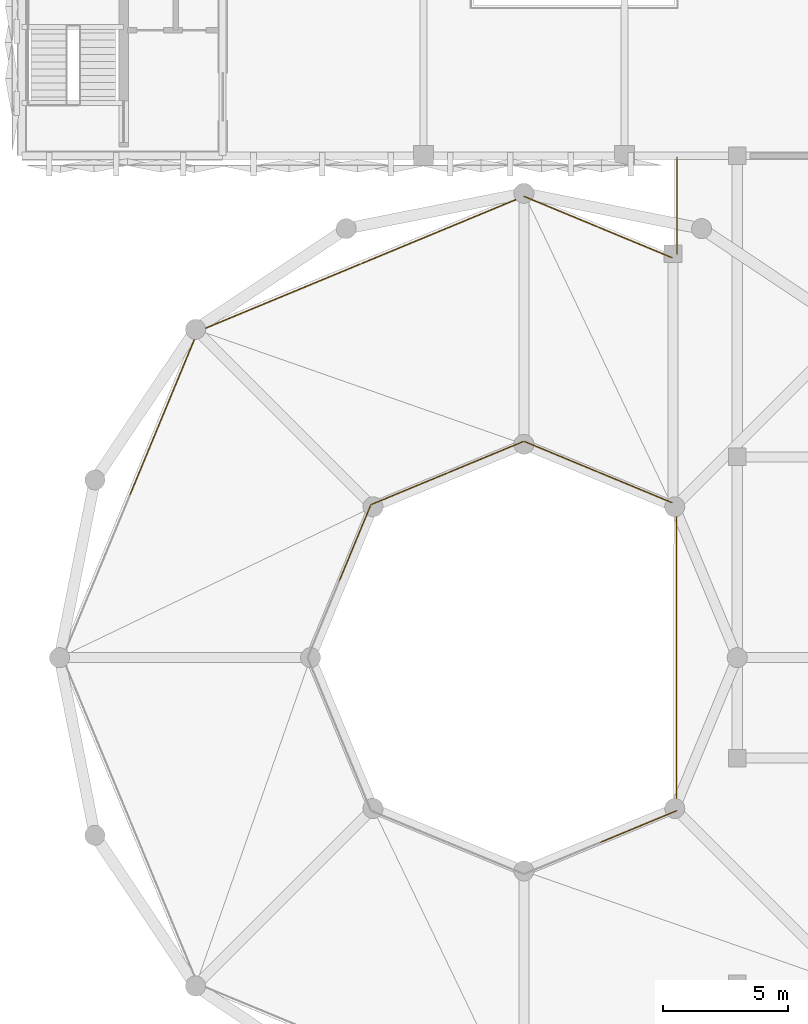
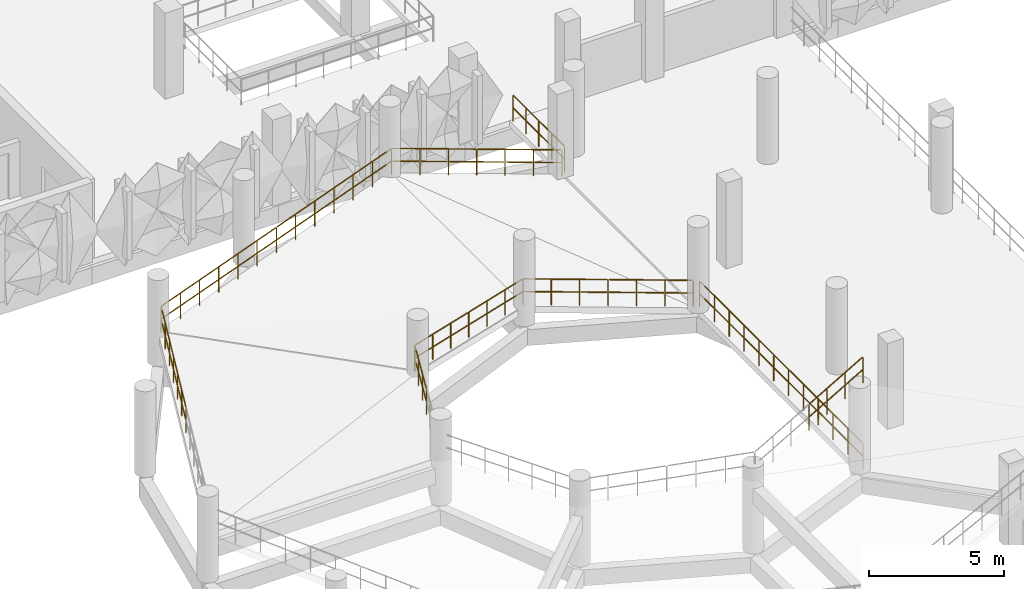
# One storey, part 107 of 123: 13 railings.
"""IFC4 building model written with IfcOpenShell, lengths in metres."""

from ifc_helpers import new_model, si_unit, derived_unit, direction, frame, origin, origin_2d, place, context, subcontext, project, spatial, circle, extrude, material, type_object, element, save


model = new_model("IFC4")

# Units and contexts
model_context = context("Model", 3, precision=1e-05, world=origin(), true_north=direction((0.0, 1.0)))
body_context = subcontext(model_context, "Body", "Model", "MODEL_VIEW")
ifc_project = project(units=[si_unit("LENGTHUNIT", "METRE"), si_unit("AREAUNIT", "SQUARE_METRE"), si_unit("VOLUMEUNIT", "CUBIC_METRE"), si_unit("PLANEANGLEUNIT", "RADIAN"), si_unit("MASSUNIT", "GRAM", prefix="KILO"), si_unit("THERMODYNAMICTEMPERATUREUNIT", "KELVIN"), derived_unit("THERMALTRANSMITTANCEUNIT", [(si_unit("POWERUNIT", "WATT"), 1), (si_unit("AREAUNIT", "SQUARE_METRE"), -1), (si_unit("THERMODYNAMICTEMPERATUREUNIT", "KELVIN"), -1)])], contexts=[model_context])

# Site, building, storey
site_placement = place(None, origin())
site = spatial("IfcSite", under=ifc_project, at=site_placement, CompositionType="ELEMENT")
building_placement = place(site_placement, origin())
building = spatial("IfcBuilding", under=site, at=building_placement, Name="Haiyu Intermodal Mobility Hub", CompositionType="ELEMENT")
storey_placement = place(building_placement, frame((0.0, 0.0, 5.60009765625)))
storey = spatial("IfcBuildingStorey", under=building, at=storey_placement, Name="L01", CompositionType="ELEMENT", Elevation=5.60009765625)

# Railings
ifc_material = material(Name="Steel Q355C", Category="steel")
railing_type = type_object("IfcRailingType", Name="RAL-GR01", PredefinedType="GUARDRAIL", material=ifc_material)
railing_1_placement = place(storey_placement, frame((40.080078125, 53.8798828125, 0.0)))
element("IfcRailing", 1, at=railing_1_placement, inside=storey, type_object=railing_type, Name="L01 Ramp Arrival Deck Inner Drum Guard", PredefinedType="GUARDRAIL", context=body_context, shape_type="SweptSolid", body=[
    extrude(circle(Radius=0.02392578125, at=origin_2d()), frame((0.0, 0.030029296875, 1.17578125), z_axis=(0.0, 1.0, 0.0), x_axis=(-1.0, 0.0, 0.0)), (0.0, 0.0, 1.0), 12.080078125),
    extrude(circle(Radius=0.02392578125, at=origin_2d()), frame((0.0, 0.037353515625, 0.60009765625), z_axis=(0.0, 1.0, 0.0), x_axis=(-1.0, 0.0, 0.0)), (0.0, 0.0, 1.0), 1.029052734375),
    extrude(circle(Radius=0.02392578125, at=origin_2d()), frame((0.0, 1.140869140625, 0.60009765625), z_axis=(0.0, 1.0, 0.0), x_axis=(-1.0, 0.0, 0.0)), (0.0, 0.0, 1.0), 1.029052734375),
    extrude(circle(Radius=0.02392578125, at=origin_2d()), frame((0.0, 2.24462890625, 0.60009765625), z_axis=(0.0, 1.0, 0.0), x_axis=(-1.0, 0.0, 0.0)), (0.0, 0.0, 1.0), 1.029052734375),
    extrude(circle(Radius=0.02392578125, at=origin_2d()), frame((0.0, 3.34814453125, 0.60009765625), z_axis=(0.0, 1.0, 0.0), x_axis=(-1.0, 0.0, 0.0)), (0.0, 0.0, 1.0), 1.029052734375),
    extrude(circle(Radius=0.02392578125, at=origin_2d()), frame((0.0, 4.451904296875, 0.60009765625), z_axis=(0.0, 1.0, 0.0), x_axis=(-1.0, 0.0, 0.0)), (0.0, 0.0, 1.0), 1.029052734375),
    extrude(circle(Radius=0.02392578125, at=origin_2d()), frame((0.0, 5.555419921875, 0.60009765625), z_axis=(0.0, 1.0, 0.0), x_axis=(-1.0, 0.0, 0.0)), (0.0, 0.0, 1.0), 1.029052734375),
    extrude(circle(Radius=0.02392578125, at=origin_2d()), frame((0.0, 6.6591796875, 0.60009765625), z_axis=(0.0, 1.0, 0.0), x_axis=(-1.0, 0.0, 0.0)), (0.0, 0.0, 1.0), 1.029052734375),
    extrude(circle(Radius=0.02392578125, at=origin_2d()), frame((0.0, 7.762939453125, 0.60009765625), z_axis=(0.0, 1.0, 0.0), x_axis=(-1.0, 0.0, 0.0)), (0.0, 0.0, 1.0), 1.029052734375),
    extrude(circle(Radius=0.02392578125, at=origin_2d()), frame((0.0, 8.866455078125, 0.60009765625), z_axis=(0.0, 1.0, 0.0), x_axis=(-1.0, 0.0, 0.0)), (0.0, 0.0, 1.0), 1.029052734375),
    extrude(circle(Radius=0.02392578125, at=origin_2d()), frame((0.0, 9.97021484375, 0.60009765625), z_axis=(0.0, 1.0, 0.0), x_axis=(-1.0, 0.0, 0.0)), (0.0, 0.0, 1.0), 1.029052734375),
    extrude(circle(Radius=0.02392578125, at=origin_2d()), frame((0.0, 11.07373046875, 0.60009765625), z_axis=(0.0, 1.0, 0.0), x_axis=(-1.0, 0.0, 0.0)), (0.0, 0.0, 1.0), 1.029052734375),
    extrude(circle(Radius=0.02099609375, at=origin_2d()), origin(), (0.0, 0.0, 1.0), 1.143798828125),
    extrude(circle(Radius=0.02099609375, at=origin_2d()), frame((0.0, 1.103759765625, 0.0)), (0.0, 0.0, 1.0), 1.143798828125),
    extrude(circle(Radius=0.02099609375, at=origin_2d()), frame((0.0, 2.207275390625, 0.0)), (0.0, 0.0, 1.0), 1.143798828125),
    extrude(circle(Radius=0.02099609375, at=origin_2d()), frame((0.0, 3.31103515625, 0.0)), (0.0, 0.0, 1.0), 1.143798828125),
    extrude(circle(Radius=0.02099609375, at=origin_2d()), frame((0.0, 4.41455078125, 0.0)), (0.0, 0.0, 1.0), 1.143798828125),
    extrude(circle(Radius=0.02099609375, at=origin_2d()), frame((0.0, 5.518310546875, 0.0)), (0.0, 0.0, 1.0), 1.143798828125),
    extrude(circle(Radius=0.02099609375, at=origin_2d()), frame((0.0, 6.621826171875, 0.0)), (0.0, 0.0, 1.0), 1.143798828125),
    extrude(circle(Radius=0.02099609375, at=origin_2d()), frame((0.0, 7.7255859375, 0.0)), (0.0, 0.0, 1.0), 1.143798828125),
    extrude(circle(Radius=0.02099609375, at=origin_2d()), frame((0.0, 8.8291015625, 0.0)), (0.0, 0.0, 1.0), 1.143798828125),
    extrude(circle(Radius=0.02099609375, at=origin_2d()), frame((0.0, 9.932861328125, 0.0)), (0.0, 0.0, 1.0), 1.143798828125),
    extrude(circle(Radius=0.02099609375, at=origin_2d()), frame((0.0, 11.036376953125, 0.0)), (0.0, 0.0, 1.0), 1.143798828125),
    extrude(circle(Radius=0.02099609375, at=origin_2d()), frame((0.0, 12.14013671875, 0.0)), (0.0, 0.0, 1.0), 1.143798828125),
])
railing_2_placement = place(storey_placement, frame((40.10009765625, 76.080078125, 0.0)))
element("IfcRailing", 2, at=railing_2_placement, inside=storey, type_object=railing_type, Name="L01 Ramp Arrival Deck North-West Guard", PredefinedType="GUARDRAIL", context=body_context, shape_type="SweptSolid", body=[
    extrude(circle(Radius=0.02392578125, at=origin_2d()), frame((0.0, 0.030029296875, 1.17578125), z_axis=(0.0, 1.0, 0.0), x_axis=(-1.0, 0.0, 0.0)), (0.0, 0.0, 1.0), 3.77978515625),
    extrude(circle(Radius=0.02392578125, at=origin_2d()), frame((0.0, 0.037353515625, 0.60009765625), z_axis=(0.0, 1.0, 0.0), x_axis=(-1.0, 0.0, 0.0)), (0.0, 0.0, 1.0), 0.88525390625),
    extrude(circle(Radius=0.02392578125, at=origin_2d()), frame((0.0, 0.997314453125, 0.60009765625), z_axis=(0.0, 1.0, 0.0), x_axis=(-1.0, 0.0, 0.0)), (0.0, 0.0, 1.0), 0.88525390625),
    extrude(circle(Radius=0.02392578125, at=origin_2d()), frame((0.0, 1.957275390625, 0.60009765625), z_axis=(0.0, 1.0, 0.0), x_axis=(-1.0, 0.0, 0.0)), (0.0, 0.0, 1.0), 0.88525390625),
    extrude(circle(Radius=0.02392578125, at=origin_2d()), frame((0.0, 2.917236328125, 0.60009765625), z_axis=(0.0, 1.0, 0.0), x_axis=(-1.0, 0.0, 0.0)), (0.0, 0.0, 1.0), 0.88525390625),
    extrude(circle(Radius=0.02099609375, at=origin_2d()), origin(), (0.0, 0.0, 1.0), 1.143798828125),
    extrude(circle(Radius=0.02099609375, at=origin_2d()), frame((0.0, 0.9599609375, 0.0)), (0.0, 0.0, 1.0), 1.143798828125),
    extrude(circle(Radius=0.02099609375, at=origin_2d()), frame((0.0, 1.919921875, 0.0)), (0.0, 0.0, 1.0), 1.143798828125),
    extrude(circle(Radius=0.02099609375, at=origin_2d()), frame((0.0, 2.8798828125, 0.0)), (0.0, 0.0, 1.0), 1.143798828125),
    extrude(circle(Radius=0.02099609375, at=origin_2d()), frame((0.0, 3.83984375, 0.0)), (0.0, 0.0, 1.0), 1.143798828125),
])
for number, where, name in (
    (3, (39.89990234375, 75.93603515625, 0.0), "RAL-VRMP-O-L01-01A"),
    (4, (36.949951171875, 77.157958984375, 0.324951171875), "RAL-VRMP-O-L01-01B"),
    (5, (39.89990234375, 66.176025390625, 0.0), "RAL-VRMP-I-L01-01A"),
):
    element("IfcRailing", number, at=place(storey_placement, frame(where)), inside=storey, type_object=railing_type, Name=name, PredefinedType="GUARDRAIL", context=body_context, shape_type="SweptSolid", body=[
        extrude(circle(Radius=0.02392578125, at=origin_2d()), frame((-0.027587890625, 0.011474609375, 1.178955078125), z_axis=(-0.91913050102, 0.380720694993, 0.101246602405), x_axis=(-0.382687186701, -0.923877977405, 0.0)), (0.0, 0.0, 1.0), 3.1494140625),
        extrude(circle(Radius=0.02392578125, at=origin_2d()), frame((-0.0341796875, 0.01416015625, 0.603759765625), z_axis=(-0.91913050102, 0.380720694993, 0.101246602405), x_axis=(-0.382687186701, -0.923877977405, 0.0)), (0.0, 0.0, 1.0), 0.995361328125),
        extrude(circle(Radius=0.02392578125, at=origin_2d()), frame((-1.017578125, 0.42138671875, 0.712158203125), z_axis=(-0.91913050102, 0.380720694993, 0.101246602405), x_axis=(-0.382687186701, -0.923877977405, 0.0)), (0.0, 0.0, 1.0), 0.995361328125),
        extrude(circle(Radius=0.02392578125, at=origin_2d()), frame((-2.0009765625, 0.828857421875, 0.8203125), z_axis=(-0.91913050102, 0.380720694993, 0.101246602405), x_axis=(-0.382687186701, -0.923877977405, 0.0)), (0.0, 0.0, 1.0), 0.995361328125),
        extrude(circle(Radius=0.02099609375, at=origin_2d()), origin(), (0.0, 0.0, 1.0), 1.143798828125),
        extrude(circle(Radius=0.02099609375, at=origin_2d()), frame((-0.9833984375, 0.4072265625, 0.1083984375)), (0.0, 0.0, 1.0), 1.143798828125),
        extrude(circle(Radius=0.02099609375, at=origin_2d()), frame((-1.966552734375, 0.814697265625, 0.216552734375)), (0.0, 0.0, 1.0), 1.143798828125),
        extrude(circle(Radius=0.02099609375, at=origin_2d()), frame((-2.949951171875, 1.221923828125, 0.324951171875)), (0.0, 0.0, 1.0), 1.143798828125),
    ])
railing_3_placement = place(storey_placement, frame((36.949951171875, 67.39794921875, 0.324951171875)))
element("IfcRailing", 6, at=railing_3_placement, inside=storey, type_object=railing_type, Name="RAL-VRMP-I-L01-01B", PredefinedType="GUARDRAIL", context=body_context, shape_type="SweptSolid", body=[
    extrude(circle(Radius=0.02392578125, at=origin_2d()), frame((-0.027587890625, 0.011474609375, 1.178955078125), z_axis=(-0.919103880865, 0.380785734305, 0.101243670068), x_axis=(-0.382752447143, -0.923850942634, 0.0)), (0.0, 0.0, 1.0), 3.149658203125),
    extrude(circle(Radius=0.02392578125, at=origin_2d()), frame((-0.0341796875, 0.01416015625, 0.603759765625), z_axis=(-0.919103880865, 0.380785734305, 0.101243670068), x_axis=(-0.382752447143, -0.923850942634, 0.0)), (0.0, 0.0, 1.0), 0.995361328125),
    extrude(circle(Radius=0.02392578125, at=origin_2d()), frame((-1.017578125, 0.421630859375, 0.712158203125), z_axis=(-0.919103880865, 0.380785734305, 0.101243670068), x_axis=(-0.382752447143, -0.923850942634, 0.0)), (0.0, 0.0, 1.0), 0.995361328125),
    extrude(circle(Radius=0.02392578125, at=origin_2d()), frame((-2.0009765625, 0.8291015625, 0.8203125), z_axis=(-0.919103880865, 0.380785734305, 0.101243670068), x_axis=(-0.382752447143, -0.923850942634, 0.0)), (0.0, 0.0, 1.0), 0.995361328125),
    extrude(circle(Radius=0.02099609375, at=origin_2d()), origin(), (0.0, 0.0, 1.0), 1.143798828125),
    extrude(circle(Radius=0.02099609375, at=origin_2d()), frame((-0.9833984375, 0.407470703125, 0.1083984375)), (0.0, 0.0, 1.0), 1.143798828125),
    extrude(circle(Radius=0.02099609375, at=origin_2d()), frame((-1.966552734375, 0.814697265625, 0.216552734375)), (0.0, 0.0, 1.0), 1.143798828125),
    extrude(circle(Radius=0.02099609375, at=origin_2d()), frame((-2.949951171875, 1.22216796875, 0.324951171875)), (0.0, 0.0, 1.0), 1.143798828125),
])
railing_4_placement = place(storey_placement, frame((34.0, 78.3798828125, 0.64990234375)))
element("IfcRailing", 7, at=railing_4_placement, inside=storey, type_object=railing_type, Name="RAL-VRMP-O-L01-02A", PredefinedType="GUARDRAIL", context=body_context, shape_type="SweptSolid", body=[
    extrude(circle(Radius=0.02392578125, at=origin_2d()), frame((-0.027587890625, -0.011474609375, 1.17724609375), z_axis=(-0.922879282684, -0.382313907833, 0.046150898905), x_axis=(0.382721705618, -0.923863678282, 0.0)), (0.0, 0.0, 1.0), 6.98095703125),
    extrude(circle(Radius=0.02392578125, at=origin_2d()), frame((-0.034423828125, -0.01416015625, 0.601806640625), z_axis=(-0.922879282684, -0.382313907833, 0.046150898905), x_axis=(0.382721705618, -0.923863678282, 0.0)), (0.0, 0.0, 1.0), 1.098876953125),
    extrude(circle(Radius=0.02392578125, at=origin_2d()), frame((-1.117431640625, -0.462890625, 0.65576171875), z_axis=(-0.922879282684, -0.382313907833, 0.046150898905), x_axis=(0.382721705618, -0.923863678282, 0.0)), (0.0, 0.0, 1.0), 1.098876953125),
    extrude(circle(Radius=0.02392578125, at=origin_2d()), frame((-2.200439453125, -0.91162109375, 0.7099609375), z_axis=(-0.922879282684, -0.382313907833, 0.046150898905), x_axis=(0.382721705618, -0.923863678282, 0.0)), (0.0, 0.0, 1.0), 1.098876953125),
    extrude(circle(Radius=0.02392578125, at=origin_2d()), frame((-3.283447265625, -1.360107421875, 0.76416015625), z_axis=(-0.922879282684, -0.382313907833, 0.046150898905), x_axis=(0.382721705618, -0.923863678282, 0.0)), (0.0, 0.0, 1.0), 1.098876953125),
    extrude(circle(Radius=0.02392578125, at=origin_2d()), frame((-4.366455078125, -1.808837890625, 0.818359375), z_axis=(-0.922879282684, -0.382313907833, 0.046150898905), x_axis=(0.382721705618, -0.923863678282, 0.0)), (0.0, 0.0, 1.0), 1.098876953125),
    extrude(circle(Radius=0.02392578125, at=origin_2d()), frame((-5.449462890625, -2.257568359375, 0.87255859375), z_axis=(-0.922879282684, -0.382313907833, 0.046150898905), x_axis=(0.382721705618, -0.923863678282, 0.0)), (0.0, 0.0, 1.0), 1.098876953125),
    extrude(circle(Radius=0.02099609375, at=origin_2d()), origin(), (0.0, 0.0, 1.0), 1.143798828125),
    extrude(circle(Radius=0.02099609375, at=origin_2d()), frame((-1.0830078125, -0.44873046875, 0.05419921875)), (0.0, 0.0, 1.0), 1.143798828125),
    extrude(circle(Radius=0.02099609375, at=origin_2d()), frame((-2.166015625, -0.897216796875, 0.1083984375)), (0.0, 0.0, 1.0), 1.143798828125),
    extrude(circle(Radius=0.02099609375, at=origin_2d()), frame((-3.2490234375, -1.345947265625, 0.16259765625)), (0.0, 0.0, 1.0), 1.143798828125),
    extrude(circle(Radius=0.02099609375, at=origin_2d()), frame((-4.33203125, -1.794677734375, 0.216552734375)), (0.0, 0.0, 1.0), 1.143798828125),
    extrude(circle(Radius=0.02099609375, at=origin_2d()), frame((-5.4150390625, -2.2431640625, 0.270751953125)), (0.0, 0.0, 1.0), 1.143798828125),
    extrude(circle(Radius=0.02099609375, at=origin_2d()), frame((-6.498046875, -2.69189453125, 0.324951171875)), (0.0, 0.0, 1.0), 1.143798828125),
])
railing_5_placement = place(storey_placement, frame((27.501953125, 75.68798828125, 0.974853515625)))
element("IfcRailing", 8, at=railing_5_placement, inside=storey, type_object=railing_type, Name="RAL-VRMP-O-L01-02B", PredefinedType="GUARDRAIL", context=body_context, shape_type="SweptSolid", body=[
    extrude(circle(Radius=0.02392578125, at=origin_2d()), frame((-0.027587890625, -0.011474609375, 1.17724609375), z_axis=(-0.922879282684, -0.382313907833, 0.046150898905), x_axis=(0.382721705618, -0.923863678282, 0.0)), (0.0, 0.0, 1.0), 6.98095703125),
    extrude(circle(Radius=0.02392578125, at=origin_2d()), frame((-0.034423828125, -0.01416015625, 0.601806640625), z_axis=(-0.922879282684, -0.382313907833, 0.046150898905), x_axis=(0.382721705618, -0.923863678282, 0.0)), (0.0, 0.0, 1.0), 1.098876953125),
    extrude(circle(Radius=0.02392578125, at=origin_2d()), frame((-1.117431640625, -0.462890625, 0.65576171875), z_axis=(-0.922879282684, -0.382313907833, 0.046150898905), x_axis=(0.382721705618, -0.923863678282, 0.0)), (0.0, 0.0, 1.0), 1.098876953125),
    extrude(circle(Radius=0.02392578125, at=origin_2d()), frame((-2.200439453125, -0.91162109375, 0.7099609375), z_axis=(-0.922879282684, -0.382313907833, 0.046150898905), x_axis=(0.382721705618, -0.923863678282, 0.0)), (0.0, 0.0, 1.0), 1.098876953125),
    extrude(circle(Radius=0.02392578125, at=origin_2d()), frame((-3.283447265625, -1.360107421875, 0.76416015625), z_axis=(-0.922879282684, -0.382313907833, 0.046150898905), x_axis=(0.382721705618, -0.923863678282, 0.0)), (0.0, 0.0, 1.0), 1.098876953125),
    extrude(circle(Radius=0.02392578125, at=origin_2d()), frame((-4.366455078125, -1.808837890625, 0.818359375), z_axis=(-0.922879282684, -0.382313907833, 0.046150898905), x_axis=(0.382721705618, -0.923863678282, 0.0)), (0.0, 0.0, 1.0), 1.098876953125),
    extrude(circle(Radius=0.02392578125, at=origin_2d()), frame((-5.449462890625, -2.257568359375, 0.87255859375), z_axis=(-0.922879282684, -0.382313907833, 0.046150898905), x_axis=(0.382721705618, -0.923863678282, 0.0)), (0.0, 0.0, 1.0), 1.098876953125),
    extrude(circle(Radius=0.02099609375, at=origin_2d()), origin(), (0.0, 0.0, 1.0), 1.143798828125),
    extrude(circle(Radius=0.02099609375, at=origin_2d()), frame((-1.0830078125, -0.44873046875, 0.05419921875)), (0.0, 0.0, 1.0), 1.143798828125),
    extrude(circle(Radius=0.02099609375, at=origin_2d()), frame((-2.166015625, -0.897216796875, 0.1083984375)), (0.0, 0.0, 1.0), 1.143798828125),
    extrude(circle(Radius=0.02099609375, at=origin_2d()), frame((-3.2490234375, -1.345947265625, 0.16259765625)), (0.0, 0.0, 1.0), 1.143798828125),
    extrude(circle(Radius=0.02099609375, at=origin_2d()), frame((-4.33203125, -1.794677734375, 0.216552734375)), (0.0, 0.0, 1.0), 1.143798828125),
    extrude(circle(Radius=0.02099609375, at=origin_2d()), frame((-5.4150390625, -2.2431640625, 0.270751953125)), (0.0, 0.0, 1.0), 1.143798828125),
    extrude(circle(Radius=0.02099609375, at=origin_2d()), frame((-6.498046875, -2.69189453125, 0.324951171875)), (0.0, 0.0, 1.0), 1.143798828125),
])
railing_6_placement = place(storey_placement, frame((34.0, 68.6201171875, 0.64990234375)))
element("IfcRailing", 9, at=railing_6_placement, inside=storey, type_object=railing_type, Name="RAL-VRMP-I-L01-02A", PredefinedType="GUARDRAIL", context=body_context, shape_type="SweptSolid", body=[
    extrude(circle(Radius=0.02392578125, at=origin_2d()), frame((-0.027587890625, -0.011474609375, 1.178955078125), z_axis=(-0.919468217836, -0.380748953641, 0.098022602959), x_axis=(0.382591441855, -0.923917630863, 0.0)), (0.0, 0.0, 1.0), 3.255126953125),
    extrude(circle(Radius=0.02392578125, at=origin_2d()), frame((-0.0341796875, -0.01416015625, 0.603515625), z_axis=(-0.919468217836, -0.380748953641, 0.098022602959), x_axis=(0.382591441855, -0.923917630863, 0.0)), (0.0, 0.0, 1.0), 1.030517578125),
    extrude(circle(Radius=0.02392578125, at=origin_2d()), frame((-1.05029296875, -0.434814453125, 0.7119140625), z_axis=(-0.919468217836, -0.380748953641, 0.098022602959), x_axis=(0.382591441855, -0.923917630863, 0.0)), (0.0, 0.0, 1.0), 1.030517578125),
    extrude(circle(Radius=0.02392578125, at=origin_2d()), frame((-2.06640625, -0.855712890625, 0.8203125), z_axis=(-0.919468217836, -0.380748953641, 0.098022602959), x_axis=(0.382591441855, -0.923917630863, 0.0)), (0.0, 0.0, 1.0), 1.030517578125),
    extrude(circle(Radius=0.02099609375, at=origin_2d()), origin(), (0.0, 0.0, 1.0), 1.143798828125),
    extrude(circle(Radius=0.02099609375, at=origin_2d()), frame((-1.01611328125, -0.420654296875, 0.1083984375)), (0.0, 0.0, 1.0), 1.143798828125),
    extrude(circle(Radius=0.02099609375, at=origin_2d()), frame((-2.031982421875, -0.841552734375, 0.216552734375)), (0.0, 0.0, 1.0), 1.143798828125),
    extrude(circle(Radius=0.02099609375, at=origin_2d()), frame((-3.048095703125, -1.26220703125, 0.324951171875)), (0.0, 0.0, 1.0), 1.143798828125),
])
railing_7_placement = place(storey_placement, frame((30.951904296875, 67.35791015625, 0.974853515625)))
element("IfcRailing", 10, at=railing_7_placement, inside=storey, type_object=railing_type, Name="RAL-VRMP-I-L01-02B", PredefinedType="GUARDRAIL", context=body_context, shape_type="SweptSolid", body=[
    extrude(circle(Radius=0.02392578125, at=origin_2d()), frame((-0.027587890625, -0.011474609375, 1.178955078125), z_axis=(-0.919333861182, -0.381066832043, 0.098047545612), x_axis=(0.382911803909, -0.923784904849, 0.0)), (0.0, 0.0, 1.0), 3.254150390625),
    extrude(circle(Radius=0.02392578125, at=origin_2d()), frame((-0.0341796875, -0.01416015625, 0.603515625), z_axis=(-0.919333861182, -0.381066832043, 0.098047545612), x_axis=(0.382911803909, -0.923784904849, 0.0)), (0.0, 0.0, 1.0), 1.030029296875),
    extrude(circle(Radius=0.02392578125, at=origin_2d()), frame((-1.0498046875, -0.435302734375, 0.7119140625), z_axis=(-0.919333861182, -0.381066832043, 0.098047545612), x_axis=(0.382911803909, -0.923784904849, 0.0)), (0.0, 0.0, 1.0), 1.030029296875),
    extrude(circle(Radius=0.02392578125, at=origin_2d()), frame((-2.0654296875, -0.856201171875, 0.8203125), z_axis=(-0.919333861182, -0.381066832043, 0.098047545612), x_axis=(0.382911803909, -0.923784904849, 0.0)), (0.0, 0.0, 1.0), 1.030029296875),
    extrude(circle(Radius=0.02099609375, at=origin_2d()), origin(), (0.0, 0.0, 1.0), 1.143798828125),
    extrude(circle(Radius=0.02099609375, at=origin_2d()), frame((-1.015625, -0.4208984375, 0.1083984375)), (0.0, 0.0, 1.0), 1.143798828125),
    extrude(circle(Radius=0.02099609375, at=origin_2d()), frame((-2.03125, -0.842041015625, 0.216552734375)), (0.0, 0.0, 1.0), 1.143798828125),
    extrude(circle(Radius=0.02099609375, at=origin_2d()), frame((-3.046875, -1.262939453125, 0.324951171875)), (0.0, 0.0, 1.0), 1.143798828125),
])
railing_8_placement = place(storey_placement, frame((21.00390625, 72.99609375, 1.2998046875)))
element("IfcRailing", 11, at=railing_8_placement, inside=storey, type_object=railing_type, Name="RAL-VRMP-O-L01-03A", PredefinedType="GUARDRAIL", context=body_context, shape_type="SweptSolid", body=[
    extrude(circle(Radius=0.02392578125, at=origin_2d()), frame((-0.011474609375, -0.027587890625, 1.17724609375), z_axis=(-0.382313295814, -0.922877805314, 0.046185498823), x_axis=(0.923863678282, -0.382721705618, 0.0)), (0.0, 0.0, 1.0), 6.98095703125),
    extrude(circle(Radius=0.02392578125, at=origin_2d()), frame((-0.01416015625, -0.034423828125, 0.601806640625), z_axis=(-0.382313295814, -0.922877805314, 0.046185498823), x_axis=(0.923863678282, -0.382721705618, 0.0)), (0.0, 0.0, 1.0), 1.098876953125),
    extrude(circle(Radius=0.02392578125, at=origin_2d()), frame((-0.462890625, -1.117431640625, 0.656005859375), z_axis=(-0.382313295814, -0.922877805314, 0.046185498823), x_axis=(0.923863678282, -0.382721705618, 0.0)), (0.0, 0.0, 1.0), 1.098876953125),
    extrude(circle(Radius=0.02392578125, at=origin_2d()), frame((-0.91162109375, -2.200439453125, 0.710205078125), z_axis=(-0.382313295814, -0.922877805314, 0.046185498823), x_axis=(0.923863678282, -0.382721705618, 0.0)), (0.0, 0.0, 1.0), 1.098876953125),
    extrude(circle(Radius=0.02392578125, at=origin_2d()), frame((-1.360107421875, -3.283447265625, 0.764404296875), z_axis=(-0.382313295814, -0.922877805314, 0.046185498823), x_axis=(0.923863678282, -0.382721705618, 0.0)), (0.0, 0.0, 1.0), 1.098876953125),
    extrude(circle(Radius=0.02392578125, at=origin_2d()), frame((-1.808837890625, -4.366455078125, 0.818603515625), z_axis=(-0.382313295814, -0.922877805314, 0.046185498823), x_axis=(0.923863678282, -0.382721705618, 0.0)), (0.0, 0.0, 1.0), 1.098876953125),
    extrude(circle(Radius=0.02392578125, at=origin_2d()), frame((-2.257568359375, -5.449462890625, 0.872802734375), z_axis=(-0.382313295814, -0.922877805314, 0.046185498823), x_axis=(0.923863678282, -0.382721705618, 0.0)), (0.0, 0.0, 1.0), 1.098876953125),
    extrude(circle(Radius=0.02099609375, at=origin_2d()), origin(), (0.0, 0.0, 1.0), 1.143798828125),
    extrude(circle(Radius=0.02099609375, at=origin_2d()), frame((-0.44873046875, -1.0830078125, 0.05419921875)), (0.0, 0.0, 1.0), 1.143798828125),
    extrude(circle(Radius=0.02099609375, at=origin_2d()), frame((-0.897216796875, -2.166015625, 0.1083984375)), (0.0, 0.0, 1.0), 1.143798828125),
    extrude(circle(Radius=0.02099609375, at=origin_2d()), frame((-1.345947265625, -3.2490234375, 0.16259765625)), (0.0, 0.0, 1.0), 1.143798828125),
    extrude(circle(Radius=0.02099609375, at=origin_2d()), frame((-1.794677734375, -4.33203125, 0.216796875)), (0.0, 0.0, 1.0), 1.143798828125),
    extrude(circle(Radius=0.02099609375, at=origin_2d()), frame((-2.2431640625, -5.4150390625, 0.27099609375)), (0.0, 0.0, 1.0), 1.143798828125),
    extrude(circle(Radius=0.02099609375, at=origin_2d()), frame((-2.69189453125, -6.498046875, 0.3251953125)), (0.0, 0.0, 1.0), 1.143798828125),
])
railing_9_placement = place(storey_placement, frame((27.905029296875, 66.094970703125, 1.2998046875)))
element("IfcRailing", 12, at=railing_9_placement, inside=storey, type_object=railing_type, Name="RAL-VRMP-I-L01-03A", PredefinedType="GUARDRAIL", context=body_context, shape_type="SweptSolid", body=[
    extrude(circle(Radius=0.02392578125, at=origin_2d()), frame((-0.011474609375, -0.027587890625, 1.178955078125), z_axis=(-0.381064078734, -0.919327218751, 0.098120501232), x_axis=(0.923784904849, -0.382911803909, 0.0)), (0.0, 0.0, 1.0), 3.254150390625),
    extrude(circle(Radius=0.02392578125, at=origin_2d()), frame((-0.01416015625, -0.0341796875, 0.603515625), z_axis=(-0.381064078734, -0.919327218751, 0.098120501232), x_axis=(0.923784904849, -0.382911803909, 0.0)), (0.0, 0.0, 1.0), 1.0302734375),
    extrude(circle(Radius=0.02392578125, at=origin_2d()), frame((-0.435302734375, -1.0498046875, 0.7119140625), z_axis=(-0.381064078734, -0.919327218751, 0.098120501232), x_axis=(0.923784904849, -0.382911803909, 0.0)), (0.0, 0.0, 1.0), 1.0302734375),
    extrude(circle(Radius=0.02392578125, at=origin_2d()), frame((-0.856201171875, -2.0654296875, 0.8203125), z_axis=(-0.381064078734, -0.919327218751, 0.098120501232), x_axis=(0.923784904849, -0.382911803909, 0.0)), (0.0, 0.0, 1.0), 1.0302734375),
    extrude(circle(Radius=0.02099609375, at=origin_2d()), origin(), (0.0, 0.0, 1.0), 1.143798828125),
    extrude(circle(Radius=0.02099609375, at=origin_2d()), frame((-0.4208984375, -1.015625, 0.1083984375)), (0.0, 0.0, 1.0), 1.143798828125),
    extrude(circle(Radius=0.02099609375, at=origin_2d()), frame((-0.842041015625, -2.03125, 0.216796875)), (0.0, 0.0, 1.0), 1.143798828125),
    extrude(circle(Radius=0.02099609375, at=origin_2d()), frame((-1.262939453125, -3.046875, 0.3251953125)), (0.0, 0.0, 1.0), 1.143798828125),
])
railing_10_placement = place(storey_placement, frame((37.048095703125, 52.64208984375, 3.574951171875)))
element("IfcRailing", 13, at=railing_10_placement, inside=storey, type_object=railing_type, Name="RAL-VRMP-I-L01-06B", PredefinedType="GUARDRAIL", context=body_context, shape_type="SweptSolid", body=[
    extrude(circle(Radius=0.02392578125, at=origin_2d()), frame((0.027587890625, 0.011474609375, 1.178955078125), z_axis=(0.919333861182, 0.381066832043, 0.098047545612), x_axis=(-0.382911803909, 0.923784904849, 0.0)), (0.0, 0.0, 1.0), 3.254150390625),
    extrude(circle(Radius=0.02392578125, at=origin_2d()), frame((0.0341796875, 0.01416015625, 0.603515625), z_axis=(0.919333861182, 0.381066832043, 0.098047545612), x_axis=(-0.382911803909, 0.923784904849, 0.0)), (0.0, 0.0, 1.0), 1.030029296875),
    extrude(circle(Radius=0.02392578125, at=origin_2d()), frame((1.0498046875, 0.435302734375, 0.7119140625), z_axis=(0.919333861182, 0.381066832043, 0.098047545612), x_axis=(-0.382911803909, 0.923784904849, 0.0)), (0.0, 0.0, 1.0), 1.030029296875),
    extrude(circle(Radius=0.02392578125, at=origin_2d()), frame((2.0654296875, 0.856201171875, 0.8203125), z_axis=(0.919333861182, 0.381066832043, 0.098047545612), x_axis=(-0.382911803909, 0.923784904849, 0.0)), (0.0, 0.0, 1.0), 1.030029296875),
    extrude(circle(Radius=0.02099609375, at=origin_2d()), origin(), (0.0, 0.0, 1.0), 1.143798828125),
    extrude(circle(Radius=0.02099609375, at=origin_2d()), frame((1.015625, 0.4208984375, 0.1083984375)), (0.0, 0.0, 1.0), 1.143798828125),
    extrude(circle(Radius=0.02099609375, at=origin_2d()), frame((2.03125, 0.842041015625, 0.216552734375)), (0.0, 0.0, 1.0), 1.143798828125),
    extrude(circle(Radius=0.02099609375, at=origin_2d()), frame((3.046875, 1.262939453125, 0.324951171875)), (0.0, 0.0, 1.0), 1.143798828125),
])

save(model, "model.ifc")
